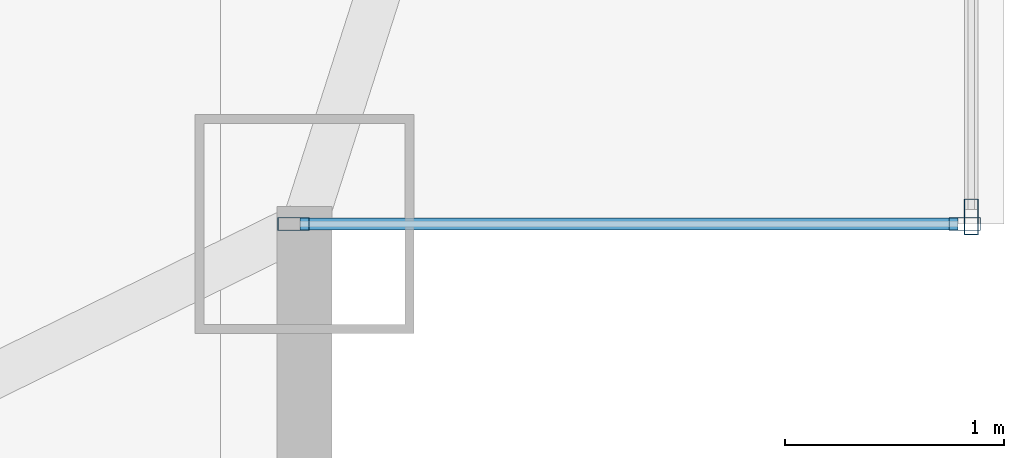
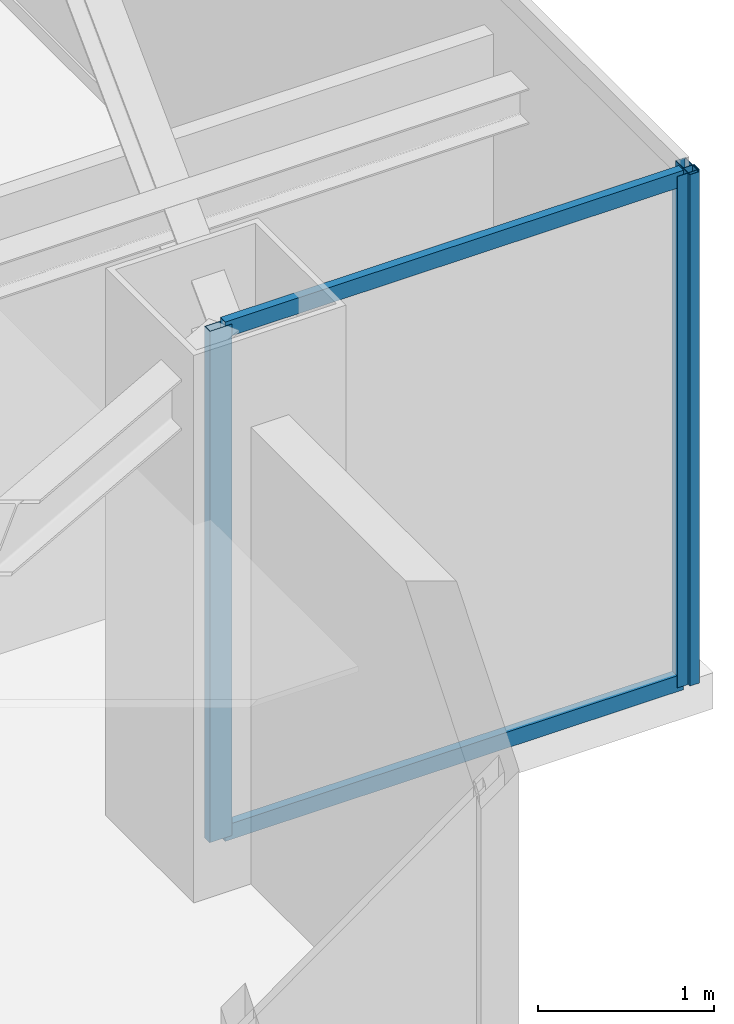
# One storey, part 12 of 25: 5 members, 2 elements without a shape of their own.
"""IFC4 building model written with IfcOpenShell, lengths in metres."""

from ifc_helpers import new_model, si_unit, direction, frame, origin, origin_2d, place, context, subcontext, project, spatial, hollow_rectangle, extrude, source, transform, mapped, material, layer, layer_set, material_profile, profile_set, type_object, type_shapes, element, aggregate, save


model = new_model("IFC4")

# Units and contexts
model_context = context("Model", 3, precision=1e-05, world=origin(), true_north=direction((0.0, 1.0)))
body_context = subcontext(model_context, "Body", "Model", "MODEL_VIEW")
ifc_project = project(units=[si_unit("LENGTHUNIT", "METRE"), si_unit("AREAUNIT", "SQUARE_METRE"), si_unit("VOLUMEUNIT", "CUBIC_METRE"), si_unit("PLANEANGLEUNIT", "RADIAN"), si_unit("MASSUNIT", "GRAM", prefix="KILO")], contexts=[model_context])

# Site, building, storey
site_placement = place(None, origin())
site = spatial("IfcSite", under=ifc_project, at=site_placement, CompositionType="ELEMENT")
building_placement = place(site_placement, origin())
building = spatial("IfcBuilding", under=site, at=building_placement, Name="Varnel Quay Broadcast Tower", CompositionType="ELEMENT")
storey_placement = place(building_placement, frame((0.0, 0.0, 273.60009765625)))
storey = spatial("IfcBuildingStorey", under=building, at=storey_placement, Name="L68", CompositionType="ELEMENT", Elevation=273.60009765625)

# Curtain wall, members
ifc_material = material(Name="Anodised Bronze Aluminium 6063-T6", Category="aluminium")
ifc_layer_1 = layer(ifc_material, 0.18994140625, Name="Anodised Bronze Aluminium 6063-T6")
ifc_layer_set_1 = layer_set([ifc_layer_1], Name="Anodised Bronze Aluminium 6063-T6")
curtain_wall_type_1 = type_object("IfcCurtainWallType", Name="CW_NotchCorner", PredefinedType="NOTDEFINED", material=ifc_layer_set_1)
curtain_wall_1_placement = place(storey_placement, origin())
curtain_wall_1 = element("IfcCurtainWall", 1, at=curtain_wall_1_placement, inside=storey, type_object=curtain_wall_type_1, Name="L68 SE Notch Curtain Wall", PredefinedType="NOTDEFINED")
ifc_material_profile_1 = material_profile(ifc_material, hollow_rectangle(XDim=0.06005859375, YDim=0.14501953125, WallThickness=0.00341796875, at=origin_2d()), Name="ALU60X145X3.5")
ifc_profile_set_1 = profile_set([ifc_material_profile_1], Name="Anodised Bronze Aluminium 6063-T6")
member_type_1 = type_object("IfcMemberType", Name="Mull_CWS-04", PredefinedType="MULLION", material=ifc_profile_set_1)
shared_shape_1 = source(origin(), body_context, "Body", "SweptSolid", [
    extrude(hollow_rectangle(XDim=0.06005859375, YDim=0.14501953125, WallThickness=0.00341796875, at=origin_2d()), origin(), (0.0, 0.0, 1.0), 3.5498046875),
])
type_shapes(member_type_1, [shared_shape_1])
member_1_placement = place(storey_placement, frame((52.75, 16.39990234375, 0.0), z_axis=(0.0, 0.0, 1.0), x_axis=(0.0, 1.0, 0.0)))
member_1 = element("IfcMember", 2, at=member_1_placement, type_object=member_type_1, Name="CWS-04 mullion 1", PredefinedType="MULLION", context=body_context, shape_type="MappedRepresentation", body=[
    mapped(shared_shape_1, transform((0.0, 0.0, 0.0), x_axis=(1.0, 0.0, 0.0), y_axis=(0.0, 1.0, 0.0), z_axis=(0.0, 0.0, 1.0), scale=1.0)),
])
member_2_placement = place(storey_placement, frame((55.820068359375, 16.39990234375, 0.0), z_axis=(0.0, 0.0, 1.0), x_axis=(0.0, 1.0, 0.0)))
member_2 = element("IfcMember", 3, at=member_2_placement, type_object=member_type_1, Name="CWS-04 mullion 2", PredefinedType="MULLION", context=body_context, shape_type="MappedRepresentation", body=[
    mapped(shared_shape_1, transform((0.0, 0.0, 0.0), x_axis=(1.0, 0.0, 0.0), y_axis=(0.0, 1.0, 0.0), z_axis=(0.0, 0.0, 1.0), scale=1.0)),
])

# Curtain wall, member
ifc_layer_2 = layer(ifc_material, 0.18994140625, Name="Anodised Bronze Aluminium 6063-T6")
ifc_layer_set_2 = layer_set([ifc_layer_2], Name="Anodised Bronze Aluminium 6063-T6")
curtain_wall_type_2 = type_object("IfcCurtainWallType", Name="CW_UpperTower", PredefinedType="NOTDEFINED", material=ifc_layer_set_2)
curtain_wall_2_placement = place(storey_placement, origin())
curtain_wall_2 = element("IfcCurtainWall", 4, at=curtain_wall_2_placement, inside=storey, type_object=curtain_wall_type_2, Name="L68 East Unitised Curtain Wall", PredefinedType="NOTDEFINED")
ifc_material_profile_2 = material_profile(ifc_material, hollow_rectangle(XDim=0.06494140625, YDim=0.1650390625, WallThickness=0.00341796875, at=origin_2d()), Name="ALU65X165X3.5")
ifc_profile_set_2 = profile_set([ifc_material_profile_2], Name="Anodised Bronze Aluminium 6063-T6")
member_type_2 = type_object("IfcMemberType", Name="Mull_CWS-03", PredefinedType="MULLION", material=ifc_profile_set_2)
shared_shape_2 = source(origin(), body_context, "Body", "SweptSolid", [
    extrude(hollow_rectangle(XDim=0.06494140625, YDim=0.1650390625, WallThickness=0.00341796875, at=origin_2d()), origin(), (0.0, 0.0, 1.0), 3.5498046875),
])
type_shapes(member_type_2, [shared_shape_2])
member_3_placement = place(storey_placement, frame((55.85009765625, 16.4326171875, 0.0), z_axis=(0.0, 0.0, 1.0), x_axis=(-1.0, 0.0, 0.0)))
member_3 = element("IfcMember", 5, at=member_3_placement, type_object=member_type_2, Name="CWS-03 mullion 1", PredefinedType="MULLION", context=body_context, shape_type="MappedRepresentation", body=[
    mapped(shared_shape_2, transform((0.0, 0.0, 0.0), x_axis=(1.0, 0.0, 0.0), y_axis=(0.0, 1.0, 0.0), z_axis=(0.0, 0.0, 1.0), scale=1.0)),
])
aggregate(curtain_wall_2, [member_3])

# Member
ifc_material_profile_3 = material_profile(ifc_material, hollow_rectangle(XDim=0.054931640625, YDim=0.110107421875, WallThickness=0.0029296875, at=origin_2d()), Name="ALU55X110X3")
ifc_profile_set_3 = profile_set([ifc_material_profile_3], Name="Anodised Bronze Aluminium 6063-T6")
member_type_3 = type_object("IfcMemberType", Name="Tran_CWS-04", PredefinedType="USERDEFINED", material=ifc_profile_set_3)
shared_shape_3 = source(origin(), body_context, "Body", "SweptSolid", [
    extrude(hollow_rectangle(XDim=0.054931640625, YDim=0.110107421875, WallThickness=0.0029296875, at=origin_2d()), origin(), (0.0, 0.0, 1.0), 3.010009765625),
])
type_shapes(member_type_3, [shared_shape_3])
member_4_placement = place(storey_placement, frame((52.780029296875, 16.39990234375, 0.02734375), z_axis=(1.0, 0.0, 0.0), x_axis=(0.0, 1.0, 0.0)))
member_4 = element("IfcMember", 6, at=member_4_placement, type_object=member_type_3, Name="CWS-04 transom 1.1", ObjectType="TRANSOM", PredefinedType="USERDEFINED", context=body_context, shape_type="MappedRepresentation", body=[
    mapped(shared_shape_3, transform((0.0, 0.0, 0.0), x_axis=(1.0, 0.0, 0.0), y_axis=(0.0, 1.0, 0.0), z_axis=(0.0, 0.0, 1.0), scale=1.0)),
])

member_5_placement = place(storey_placement, frame((52.780029296875, 16.39990234375, 3.5224609375), z_axis=(1.0, 0.0, 0.0), x_axis=(0.0, 1.0, 0.0)))
member_5 = element("IfcMember", 7, at=member_5_placement, type_object=member_type_3, Name="CWS-04 transom 1.2", ObjectType="TRANSOM", PredefinedType="USERDEFINED", context=body_context, shape_type="MappedRepresentation", body=[
    mapped(shared_shape_3, transform((0.0, 0.0, 0.0), x_axis=(1.0, 0.0, 0.0), y_axis=(0.0, 1.0, 0.0), z_axis=(0.0, 0.0, 1.0), scale=1.0)),
])

aggregate(curtain_wall_1, [member_1, member_2, member_4, member_5])

save(model, "model.ifc")
